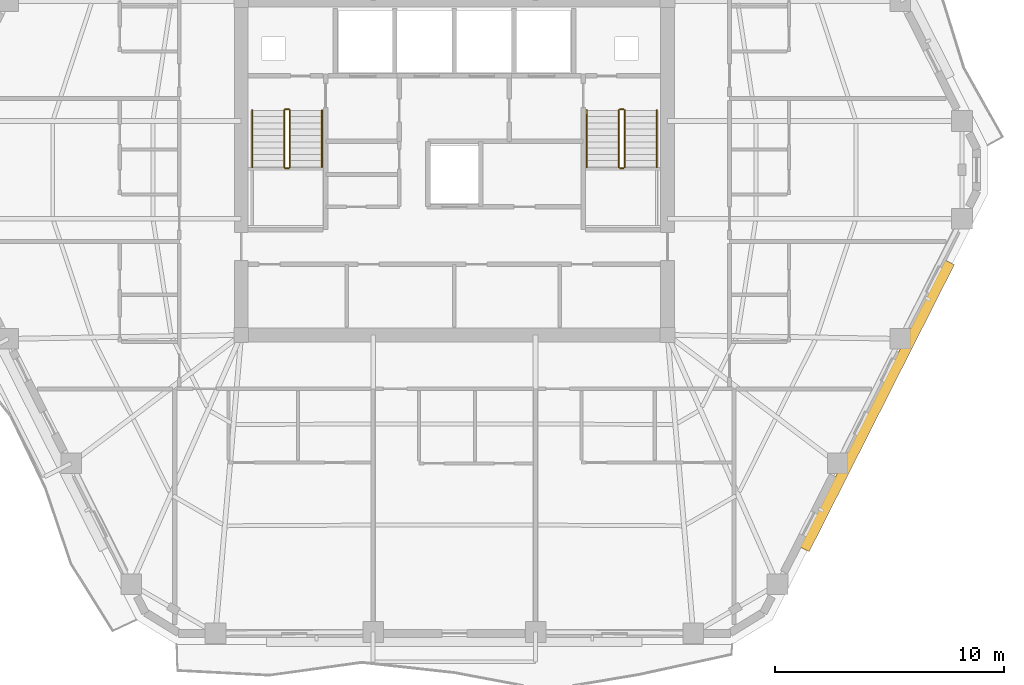
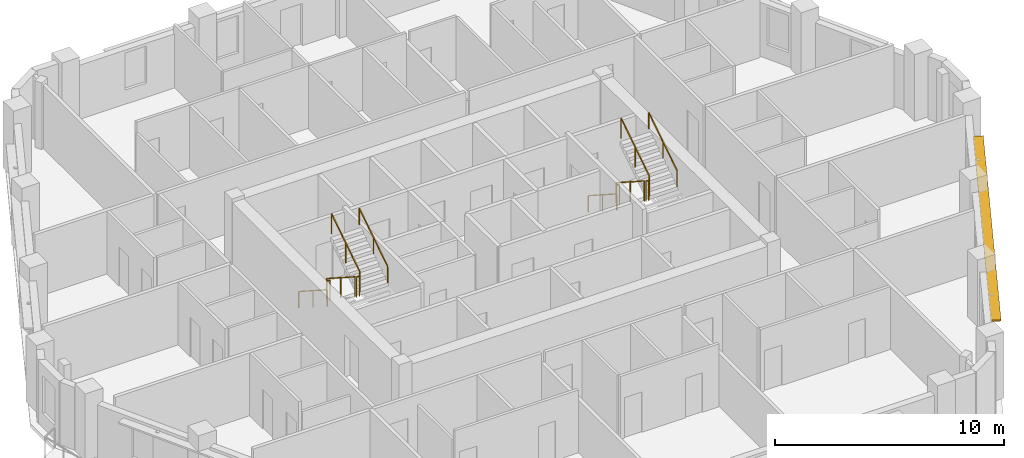
# One storey, part 10 of 11: 12 railings, 1 shading device.
"""IFC4 building model written with IfcOpenShell, lengths in metres."""

from ifc_helpers import new_model, si_unit, direction, frame, origin, origin_2d, place, context, subcontext, project, spatial, rectangle, extrude, material, layer, layer_set, type_object, element, save


model = new_model("IFC4")

# Units and contexts
model_context = context("Model", 3, precision=1e-05, world=origin(), true_north=direction((0.0, 1.0)))
body_context = subcontext(model_context, "Body", "Model", "MODEL_VIEW")
ifc_project = project(units=[si_unit("LENGTHUNIT", "METRE"), si_unit("AREAUNIT", "SQUARE_METRE"), si_unit("VOLUMEUNIT", "CUBIC_METRE"), si_unit("PLANEANGLEUNIT", "RADIAN"), si_unit("MASSUNIT", "GRAM", prefix="KILO")], contexts=[model_context])

# Site, building, storey
site_placement = place(None, origin())
site = spatial("IfcSite", under=ifc_project, at=site_placement, CompositionType="ELEMENT")
building_placement = place(site_placement, origin())
building = spatial("IfcBuilding", under=site, at=building_placement, Name="Cinnabar Lancet Tower", CompositionType="ELEMENT")
storey_placement = place(building_placement, frame((0.0, 0.0, 200.300048828125)))
storey = spatial("IfcBuildingStorey", under=building, at=storey_placement, Name="L53", CompositionType="ELEMENT", Elevation=200.300048828125)

# Shading device
ifc_material_1 = material(Name="Pale limestone architectural aluminium sunshade", Category="masonry")
ifc_layer = layer(ifc_material_1, 0.080078125)
ifc_layer_set = layer_set([ifc_layer], Name="Pale limestone architectural aluminium sunshade")
shading_device_type = type_object("IfcShadingDeviceType", Name="ENV-SHD-LVR-450", PredefinedType="JALOUSIE", material=ifc_layer_set)
shading_device_placement = place(storey_placement, frame((50.845947265625, 15.506103515625, 2.639892578125), z_axis=(0.0, 0.0, 1.0), x_axis=(0.45140713236, 0.892318105193, 0.0)))
element("IfcShadingDevice", 1, at=shading_device_placement, inside=storey, type_object=shading_device_type, Name="L53 Face 2 Horizontal Sunshade Canopy", PredefinedType="JALOUSIE", context=body_context, shape_type="SweptSolid", body=[
    extrude(rectangle(XDim=14.034912109375, YDim=0.449951171875, at=origin_2d()), origin(), (0.0, 0.0, 1.0), 0.080078125),
])

# Railings
ifc_material_2 = material(Name="Painted galvanized steel balustrade", Category="steel")
railing_type_1 = type_object("IfcRailingType", Name="GUARD-STAIR", PredefinedType="GUARDRAIL", material=ifc_material_2)
railing_1_placement = place(storey_placement, frame((24.97509765625, 28.39990234375, 0.177490234375)))
element("IfcRailing", 2, at=railing_1_placement, inside=storey, type_object=railing_type_1, Name="L53 ST-1 stair guard 1", PredefinedType="GUARDRAIL", context=body_context, shape_type="SweptSolid", body=[
    extrude(rectangle(XDim=0.048095703125, YDim=0.048095703125, at=origin_2d()), frame((0.0, 0.0, 1.076171875), z_axis=(0.0, -0.840183358697, 0.542302428327), x_axis=(1.0, 0.0, 0.0)), (0.0, 0.0, 1.0), 2.945556640625),
    extrude(rectangle(XDim=0.0419921875, YDim=0.0419921875, at=origin_2d()), origin(), (0.0, 0.0, 1.0), 1.052001953125),
    extrude(rectangle(XDim=0.0419921875, YDim=0.0419921875, at=origin_2d()), frame((0.0, -1.2373046875, 0.798828125)), (0.0, 0.0, 1.0), 1.052001953125),
    extrude(rectangle(XDim=0.0419921875, YDim=0.0419921875, at=origin_2d()), frame((0.0, -2.474853515625, 1.597412109375)), (0.0, 0.0, 1.0), 1.052001953125),
])
railing_2_placement = place(storey_placement, frame((25.02490234375, 25.875, 1.77490234375)))
element("IfcRailing", 3, at=railing_2_placement, inside=storey, type_object=railing_type_1, Name="L53 ST-1 stair guard 2", PredefinedType="GUARDRAIL", context=body_context, shape_type="SweptSolid", body=[
    extrude(rectangle(XDim=0.048095703125, YDim=0.048095703125, at=origin_2d()), frame((0.0, 0.0, 1.076171875), z_axis=(1.0, 0.0, 0.0), x_axis=(0.0, 1.0, 0.0)), (0.0, 0.0, 1.0), 0.150146484375),
    extrude(rectangle(XDim=0.0419921875, YDim=0.0419921875, at=origin_2d()), origin(), (0.0, 0.0, 1.0), 1.052001953125),
    extrude(rectangle(XDim=0.0419921875, YDim=0.0419921875, at=origin_2d()), frame((0.150146484375, 0.0, 0.0)), (0.0, 0.0, 1.0), 1.052001953125),
])
railing_3_placement = place(storey_placement, frame((25.22509765625, 25.925048828125, 1.952392578125)))
element("IfcRailing", 4, at=railing_3_placement, inside=storey, type_object=railing_type_1, Name="L53 ST-1 stair guard 3", PredefinedType="GUARDRAIL", context=body_context, shape_type="SweptSolid", body=[
    extrude(rectangle(XDim=0.048095703125, YDim=0.048095703125, at=origin_2d()), frame((0.0, 0.0, 1.076171875), z_axis=(0.0, 0.84014559416, 0.542360932049), x_axis=(-1.0, 0.0, 0.0)), (0.0, 0.0, 1.0), 2.94580078125),
    extrude(rectangle(XDim=0.0419921875, YDim=0.0419921875, at=origin_2d()), origin(), (0.0, 0.0, 1.0), 1.052001953125),
    extrude(rectangle(XDim=0.0419921875, YDim=0.0419921875, at=origin_2d()), frame((0.0, 1.2373046875, 0.798828125)), (0.0, 0.0, 1.0), 1.052001953125),
    extrude(rectangle(XDim=0.0419921875, YDim=0.0419921875, at=origin_2d()), frame((0.0, 2.474853515625, 1.59765625)), (0.0, 0.0, 1.0), 1.052001953125),
])
railing_4_placement = place(storey_placement, frame((25.02490234375, 28.449951171875, 0.0)))
element("IfcRailing", 5, at=railing_4_placement, inside=storey, type_object=railing_type_1, Name="L53 ST-1 stair guard 4", PredefinedType="GUARDRAIL", context=body_context, shape_type="SweptSolid", body=[
    extrude(rectangle(XDim=0.048095703125, YDim=0.048095703125, at=origin_2d()), frame((0.0, 0.0, 1.076171875), z_axis=(1.0, 0.0, 0.0), x_axis=(0.0, 1.0, 0.0)), (0.0, 0.0, 1.0), 0.150146484375),
    extrude(rectangle(XDim=0.0419921875, YDim=0.0419921875, at=origin_2d()), origin(), (0.0, 0.0, 1.0), 1.052001953125),
    extrude(rectangle(XDim=0.0419921875, YDim=0.0419921875, at=origin_2d()), frame((0.150146484375, 0.0, 0.0)), (0.0, 0.0, 1.0), 1.052001953125),
])
railing_5_placement = place(storey_placement, frame((39.574951171875, 28.39990234375, 0.177490234375)))
element("IfcRailing", 6, at=railing_5_placement, inside=storey, type_object=railing_type_1, Name="L53 ST-2 stair guard 1", PredefinedType="GUARDRAIL", context=body_context, shape_type="SweptSolid", body=[
    extrude(rectangle(XDim=0.048095703125, YDim=0.048095703125, at=origin_2d()), frame((0.0, 0.0, 1.076171875), z_axis=(0.0, -0.840183358697, 0.542302428327), x_axis=(1.0, 0.0, 0.0)), (0.0, 0.0, 1.0), 2.945556640625),
    extrude(rectangle(XDim=0.0419921875, YDim=0.0419921875, at=origin_2d()), origin(), (0.0, 0.0, 1.0), 1.052001953125),
    extrude(rectangle(XDim=0.0419921875, YDim=0.0419921875, at=origin_2d()), frame((0.0, -1.2373046875, 0.798828125)), (0.0, 0.0, 1.0), 1.052001953125),
    extrude(rectangle(XDim=0.0419921875, YDim=0.0419921875, at=origin_2d()), frame((0.0, -2.474853515625, 1.597412109375)), (0.0, 0.0, 1.0), 1.052001953125),
])
railing_6_placement = place(storey_placement, frame((39.625, 25.875, 1.77490234375)))
element("IfcRailing", 7, at=railing_6_placement, inside=storey, type_object=railing_type_1, Name="L53 ST-2 stair guard 2", PredefinedType="GUARDRAIL", context=body_context, shape_type="SweptSolid", body=[
    extrude(rectangle(XDim=0.048095703125, YDim=0.048095703125, at=origin_2d()), frame((0.0, 0.0, 1.076171875), z_axis=(1.0, 0.0, 0.0), x_axis=(0.0, 1.0, 0.0)), (0.0, 0.0, 1.0), 0.14990234375),
    extrude(rectangle(XDim=0.0419921875, YDim=0.0419921875, at=origin_2d()), origin(), (0.0, 0.0, 1.0), 1.052001953125),
    extrude(rectangle(XDim=0.0419921875, YDim=0.0419921875, at=origin_2d()), frame((0.14990234375, 0.0, 0.0)), (0.0, 0.0, 1.0), 1.052001953125),
])
railing_7_placement = place(storey_placement, frame((39.824951171875, 25.925048828125, 1.952392578125)))
element("IfcRailing", 8, at=railing_7_placement, inside=storey, type_object=railing_type_1, Name="L53 ST-2 stair guard 3", PredefinedType="GUARDRAIL", context=body_context, shape_type="SweptSolid", body=[
    extrude(rectangle(XDim=0.048095703125, YDim=0.048095703125, at=origin_2d()), frame((0.0, 0.0, 1.076171875), z_axis=(0.0, 0.84014559416, 0.542360932049), x_axis=(-1.0, 0.0, 0.0)), (0.0, 0.0, 1.0), 2.94580078125),
    extrude(rectangle(XDim=0.0419921875, YDim=0.0419921875, at=origin_2d()), origin(), (0.0, 0.0, 1.0), 1.052001953125),
    extrude(rectangle(XDim=0.0419921875, YDim=0.0419921875, at=origin_2d()), frame((0.0, 1.2373046875, 0.798828125)), (0.0, 0.0, 1.0), 1.052001953125),
    extrude(rectangle(XDim=0.0419921875, YDim=0.0419921875, at=origin_2d()), frame((0.0, 2.474853515625, 1.59765625)), (0.0, 0.0, 1.0), 1.052001953125),
])
railing_8_placement = place(storey_placement, frame((39.625, 28.449951171875, 0.0)))
element("IfcRailing", 9, at=railing_8_placement, inside=storey, type_object=railing_type_1, Name="L53 ST-2 stair guard 4", PredefinedType="GUARDRAIL", context=body_context, shape_type="SweptSolid", body=[
    extrude(rectangle(XDim=0.048095703125, YDim=0.048095703125, at=origin_2d()), frame((0.0, 0.0, 1.076171875), z_axis=(1.0, 0.0, 0.0), x_axis=(0.0, 1.0, 0.0)), (0.0, 0.0, 1.0), 0.14990234375),
    extrude(rectangle(XDim=0.0419921875, YDim=0.0419921875, at=origin_2d()), origin(), (0.0, 0.0, 1.0), 1.052001953125),
    extrude(rectangle(XDim=0.0419921875, YDim=0.0419921875, at=origin_2d()), frame((0.14990234375, 0.0, 0.0)), (0.0, 0.0, 1.0), 1.052001953125),
])
ifc_material_3 = material(Name="Brushed stainless steel handrail", Category="steel")
railing_type_2 = type_object("IfcRailingType", Name="HANDRAIL-STAIR", PredefinedType="HANDRAIL", material=ifc_material_3)
railing_9_placement = place(storey_placement, frame((23.574951171875, 28.39990234375, 0.177490234375)))
element("IfcRailing", 10, at=railing_9_placement, inside=storey, type_object=railing_type_2, Name="L53 ST-1 stair handrail 1", PredefinedType="HANDRAIL", context=body_context, shape_type="SweptSolid", body=[
    extrude(rectangle(XDim=0.048095703125, YDim=0.048095703125, at=origin_2d()), frame((0.0, 0.0, 0.8759765625), z_axis=(0.0, -0.840183358697, 0.542302428327), x_axis=(1.0, 0.0, 0.0)), (0.0, 0.0, 1.0), 2.945556640625),
    extrude(rectangle(XDim=0.0419921875, YDim=0.0419921875, at=origin_2d()), origin(), (0.0, 0.0, 1.0), 0.851806640625),
    extrude(rectangle(XDim=0.0419921875, YDim=0.0419921875, at=origin_2d()), frame((0.0, -1.2373046875, 0.798828125)), (0.0, 0.0, 1.0), 0.851806640625),
    extrude(rectangle(XDim=0.0419921875, YDim=0.0419921875, at=origin_2d()), frame((0.0, -2.474853515625, 1.597412109375)), (0.0, 0.0, 1.0), 0.851806640625),
])
railing_10_placement = place(storey_placement, frame((26.625, 25.925048828125, 1.952392578125)))
element("IfcRailing", 11, at=railing_10_placement, inside=storey, type_object=railing_type_2, Name="L53 ST-1 stair handrail 2", PredefinedType="HANDRAIL", context=body_context, shape_type="SweptSolid", body=[
    extrude(rectangle(XDim=0.048095703125, YDim=0.048095703125, at=origin_2d()), frame((0.0, 0.0, 0.8759765625), z_axis=(0.0, 0.84014559416, 0.542360932049), x_axis=(-1.0, 0.0, 0.0)), (0.0, 0.0, 1.0), 2.94580078125),
    extrude(rectangle(XDim=0.0419921875, YDim=0.0419921875, at=origin_2d()), origin(), (0.0, 0.0, 1.0), 0.851806640625),
    extrude(rectangle(XDim=0.0419921875, YDim=0.0419921875, at=origin_2d()), frame((0.0, 1.2373046875, 0.798828125)), (0.0, 0.0, 1.0), 0.851806640625),
    extrude(rectangle(XDim=0.0419921875, YDim=0.0419921875, at=origin_2d()), frame((0.0, 2.474853515625, 1.59765625)), (0.0, 0.0, 1.0), 0.851806640625),
])
railing_11_placement = place(storey_placement, frame((38.175048828125, 28.39990234375, 0.177490234375)))
element("IfcRailing", 12, at=railing_11_placement, inside=storey, type_object=railing_type_2, Name="L53 ST-2 stair handrail 1", PredefinedType="HANDRAIL", context=body_context, shape_type="SweptSolid", body=[
    extrude(rectangle(XDim=0.048095703125, YDim=0.048095703125, at=origin_2d()), frame((0.0, 0.0, 0.8759765625), z_axis=(0.0, -0.840183358697, 0.542302428327), x_axis=(1.0, 0.0, 0.0)), (0.0, 0.0, 1.0), 2.945556640625),
    extrude(rectangle(XDim=0.0419921875, YDim=0.0419921875, at=origin_2d()), origin(), (0.0, 0.0, 1.0), 0.851806640625),
    extrude(rectangle(XDim=0.0419921875, YDim=0.0419921875, at=origin_2d()), frame((0.0, -1.2373046875, 0.798828125)), (0.0, 0.0, 1.0), 0.851806640625),
    extrude(rectangle(XDim=0.0419921875, YDim=0.0419921875, at=origin_2d()), frame((0.0, -2.474853515625, 1.597412109375)), (0.0, 0.0, 1.0), 0.851806640625),
])
railing_12_placement = place(storey_placement, frame((41.22509765625, 25.925048828125, 1.952392578125)))
element("IfcRailing", 13, at=railing_12_placement, inside=storey, type_object=railing_type_2, Name="L53 ST-2 stair handrail 2", PredefinedType="HANDRAIL", context=body_context, shape_type="SweptSolid", body=[
    extrude(rectangle(XDim=0.048095703125, YDim=0.048095703125, at=origin_2d()), frame((0.0, 0.0, 0.8759765625), z_axis=(0.0, 0.84014559416, 0.542360932049), x_axis=(-1.0, 0.0, 0.0)), (0.0, 0.0, 1.0), 2.94580078125),
    extrude(rectangle(XDim=0.0419921875, YDim=0.0419921875, at=origin_2d()), origin(), (0.0, 0.0, 1.0), 0.851806640625),
    extrude(rectangle(XDim=0.0419921875, YDim=0.0419921875, at=origin_2d()), frame((0.0, 1.2373046875, 0.798828125)), (0.0, 0.0, 1.0), 0.851806640625),
    extrude(rectangle(XDim=0.0419921875, YDim=0.0419921875, at=origin_2d()), frame((0.0, 2.474853515625, 1.59765625)), (0.0, 0.0, 1.0), 0.851806640625),
])

save(model, "model.ifc")
